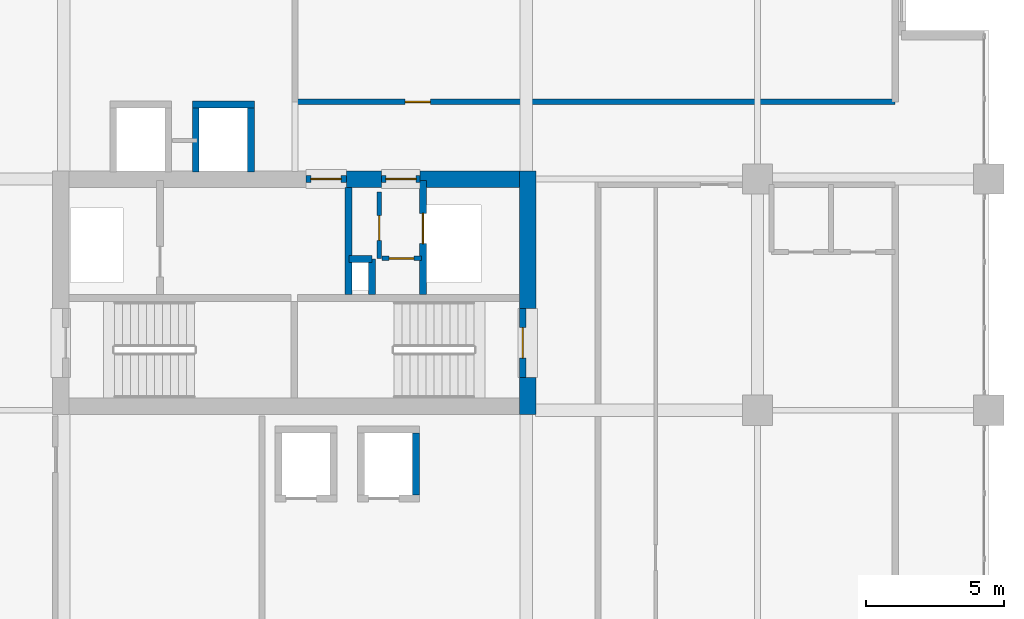
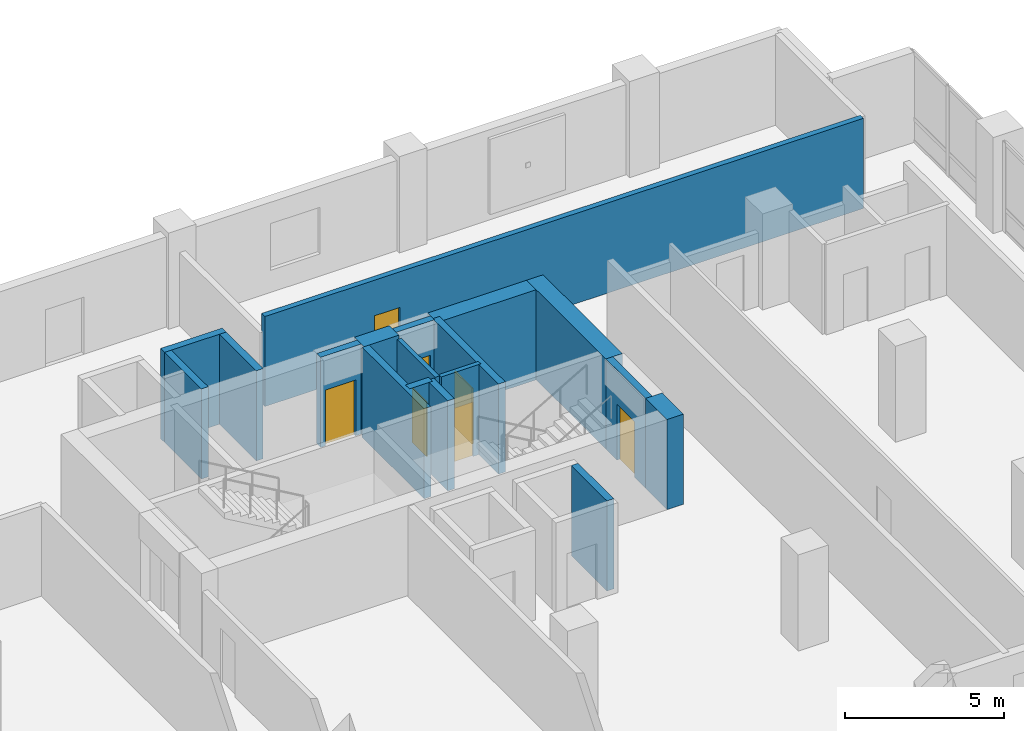
# One storey, part 10 of 20: 18 walls, 7 doors, 7 openings.
"""IFC4 building model written with IfcOpenShell, lengths in metres."""

from ifc_helpers import new_model, si_unit, direction, frame, frame_2d, origin, place, context, subcontext, project, spatial, rectangle, extrude, material, layer, layer_set, type_object, element, fill, save


model = new_model("IFC4")

# Units and contexts
model_context = context("Model", 3, precision=1e-05, world=origin(), true_north=direction((0.0, 1.0)))
body_context = subcontext(model_context, "Body", "Model", "MODEL_VIEW")
ifc_project = project(units=[si_unit("LENGTHUNIT", "METRE"), si_unit("AREAUNIT", "SQUARE_METRE"), si_unit("VOLUMEUNIT", "CUBIC_METRE"), si_unit("PLANEANGLEUNIT", "RADIAN"), si_unit("MASSUNIT", "GRAM", prefix="KILO")], contexts=[model_context])

# Site, building, storey
site_placement = place(None, origin())
site = spatial("IfcSite", under=ifc_project, at=site_placement, CompositionType="ELEMENT")
building_placement = place(site_placement, origin())
building = spatial("IfcBuilding", under=site, at=building_placement, Name="Koriwani Terraces Tower", CompositionType="ELEMENT")
storey_placement = place(building_placement, frame((0.0, 0.0, 212.39990234375)))
storey = spatial("IfcBuildingStorey", under=building, at=storey_placement, Name="L52", CompositionType="ELEMENT", Elevation=212.39990234375)

# Walls
ifc_material_1 = material(Name="Concrete C60/75", Category="concrete")
ifc_layer_1 = layer(ifc_material_1, 0.60009765625, Name="Concrete C60/75")
ifc_layer_set_1 = layer_set([ifc_layer_1], Name="Concrete C60/75")
wall_type_1 = type_object("IfcWallType", Name="WALL_CORE_RC_600", PredefinedType="SHEAR", material=ifc_layer_set_1)
wall_1_placement = place(storey_placement, frame((58.85009765625, 16.64990234375, 0.0), z_axis=(0.0, 0.0, 1.0), x_axis=(0.0, 1.0, 0.0)))
element("IfcWall", 1, at=wall_1_placement, inside=storey, type_object=wall_type_1, Name="L52 East Split Core Shear Wall E1", PredefinedType="SHEAR", context=body_context, shape_type="SweptSolid", body=[
    extrude(rectangle(XDim=1.35009765625, YDim=0.60009765625, at=frame_2d((0.675048828125, 0.0))), origin(), (0.0, 0.0, 1.0), 3.47021484375),
])
wall_2_placement = place(storey_placement, frame((58.85009765625, 20.5, 0.0), z_axis=(0.0, 0.0, 1.0), x_axis=(0.0, 1.0, 0.0)))
element("IfcWall", 2, at=wall_2_placement, inside=storey, type_object=wall_type_1, Name="L52 East Split Core Shear Wall E2", PredefinedType="SHEAR", context=body_context, shape_type="SweptSolid", body=[
    extrude(rectangle(XDim=5.0, YDim=0.60009765625, at=frame_2d((2.5, 0.0))), origin(), (0.0, 0.0, 1.0), 3.47021484375),
])
wall_3_placement = place(storey_placement, frame((52.280029296875, 25.199951171875, 0.0), z_axis=(0.0, 0.0, 1.0), x_axis=(1.0, 0.0, 0.0)))
element("IfcWall", 3, at=wall_3_placement, inside=storey, type_object=wall_type_1, Name="L52 East Split Core Shear Wall N2", PredefinedType="SHEAR", context=body_context, shape_type="SweptSolid", body=[
    extrude(rectangle(XDim=1.27001953125, YDim=0.60009765625, at=frame_2d((0.635009765625, 0.0))), origin(), (0.0, 0.0, 1.0), 3.47021484375),
])
wall_4_placement = place(storey_placement, frame((54.949951171875, 25.199951171875, 0.0), z_axis=(0.0, 0.0, 1.0), x_axis=(1.0, 0.0, 0.0)))
element("IfcWall", 4, at=wall_4_placement, inside=storey, type_object=wall_type_1, Name="L52 East Split Core Shear Wall N3", PredefinedType="SHEAR", context=body_context, shape_type="SweptSolid", body=[
    extrude(rectangle(XDim=3.60009765625, YDim=0.60009765625, at=frame_2d((1.800048828125, 0.0))), origin(), (0.0, 0.0, 1.0), 3.47021484375),
])

# Wall, opening, door
ifc_material_2 = material(Name="Autoclaved Cellular Concrete Blockwork", Category="masonry")
ifc_layer_2 = layer(ifc_material_2, 0.199951171875, Name="Autoclaved Cellular Concrete Blockwork")
ifc_layer_set_2 = layer_set([ifc_layer_2], Name="Autoclaved Cellular Concrete Blockwork")
wall_type_2 = type_object("IfcWallType", Name="WALL_CORRIDOR_200", PredefinedType="PARTITIONING", material=ifc_layer_set_2)
wall_5_placement = place(storey_placement, frame((50.39990234375, 28.0, 0.0), z_axis=(0.0, 0.0, 1.0), x_axis=(1.0, 0.0, 0.0)))
wall_5 = element("IfcWall", 5, at=wall_5_placement, inside=storey, type_object=wall_type_2, Name="L52 Interior Wall WSEC-S-L52", PredefinedType="PARTITIONING", context=body_context, shape_type="SweptSolid", body=[
    extrude(rectangle(XDim=21.800048828125, YDim=0.199951171875, at=frame_2d((10.89990234375, 0.0))), origin(), (0.0, 0.0, 1.0), 3.47021484375),
])
opening_1_placement = place(wall_5_placement, frame((4.0, 0.0, 0.0)))
opening_1 = element("IfcOpeningElement", 6, at=opening_1_placement, cuts=wall_5, Name="Opening D-06", PredefinedType="OPENING", context=body_context, shape_type="SweptSolid", body=[
    extrude(rectangle(XDim=0.919921875, YDim=2.10009765625, at=frame_2d((0.4599609375, 1.050048828125))), frame((0.0, 0.10986328125, 0.0), z_axis=(0.0, -1.0, 0.0), x_axis=(1.0, 0.0, 0.0)), (0.0, 0.0, 1.0), 0.219970703125),
])
ifc_material_3 = material(Name="Architectural Oak Fire Door", Category="wood")
door_type_1 = type_object("IfcDoorType", Name="DOOR_ROOM_INT_920X2100", OperationType="NOTDEFINED", PredefinedType="DOOR", material=ifc_material_3)
door_1_placement = place(opening_1_placement, origin())
door_1 = element("IfcDoor", 7, at=door_1_placement, inside=storey, type_object=door_type_1, Name="L52 East Court Study Door", OperationType="SINGLE_SWING_RIGHT", OverallHeight=2.10009765625, OverallWidth=0.919921875, PredefinedType="DOOR", context=body_context, shape_type="SweptSolid", body=[
    extrude(rectangle(XDim=0.919921875, YDim=2.10009765625, at=frame_2d((0.4599609375, 1.050048828125))), frame((0.0, 0.02490234375, 0.0), z_axis=(0.0, -1.0, 0.0), x_axis=(1.0, 0.0, 0.0)), (0.0, 0.0, 1.0), 0.050048828125),
])
fill(opening_1, door_1)

ifc_material_4 = material(Name="Concrete C40/50", Category="concrete")
ifc_layer_3 = layer(ifc_material_4, 0.25, Name="Concrete C40/50")
ifc_layer_set_3 = layer_set([ifc_layer_3], Name="Concrete C40/50")
wall_type_3 = type_object("IfcWallType", Name="WALL_SHAFT_RATED_250", PredefinedType="SOLIDWALL", material=ifc_layer_set_3)
wall_6_placement = place(storey_placement, frame((58.675048828125, 18.0, 0.0), z_axis=(0.0, 0.0, 1.0), x_axis=(0.0, 1.0, 0.0)))
wall_6 = element("IfcWall", 8, at=wall_6_placement, inside=storey, type_object=wall_type_3, Name="L52 Interior Wall WIN-CE-L52-STE", PredefinedType="SOLIDWALL", context=body_context, shape_type="SweptSolid", body=[
    extrude(rectangle(XDim=2.5, YDim=0.25, at=frame_2d((1.25, 0.0))), origin(), (0.0, 0.0, 1.0), 3.47021484375),
])
opening_2_placement = place(wall_6_placement, frame((0.699951171875, 0.0, 0.0)))
opening_2 = element("IfcOpeningElement", 9, at=opening_2_placement, cuts=wall_6, Name="Opening D-03", PredefinedType="OPENING", context=body_context, shape_type="SweptSolid", body=[
    extrude(rectangle(XDim=1.10009765625, YDim=2.14990234375, at=frame_2d((0.550048828125, 1.074951171875))), frame((0.0, 0.135009765625, 0.0), z_axis=(0.0, -1.0, 0.0), x_axis=(1.0, 0.0, 0.0)), (0.0, 0.0, 1.0), 0.27001953125),
])
ifc_material_5 = material(Name="Steel ASTM A572 Grade 50", Category="steel")
door_type_2 = type_object("IfcDoorType", Name="DOOR_STAIR_FIRE_1100X2150", OperationType="NOTDEFINED", PredefinedType="DOOR", material=ifc_material_5)
door_2_placement = place(opening_2_placement, origin())
door_2 = element("IfcDoor", 10, at=door_2_placement, inside=storey, type_object=door_type_2, Name="L52 Exit Stair ST-E2 Door", OperationType="SINGLE_SWING_LEFT", OverallHeight=2.14990234375, OverallWidth=1.10009765625, PredefinedType="DOOR", context=body_context, shape_type="SweptSolid", body=[
    extrude(rectangle(XDim=1.10009765625, YDim=2.14990234375, at=frame_2d((0.550048828125, 1.074951171875))), frame((0.0, 0.02490234375, 0.0), z_axis=(0.0, -1.0, 0.0), x_axis=(1.0, 0.0, 0.0)), (0.0, 0.0, 1.0), 0.050048828125),
])
fill(opening_2, door_2)

wall_7_placement = place(storey_placement, frame((50.800048828125, 25.199951171875, 0.0), z_axis=(0.0, 0.0, 1.0), x_axis=(1.0, 0.0, 0.0)))
wall_7 = element("IfcWall", 11, at=wall_7_placement, inside=storey, type_object=wall_type_3, Name="L52 Interior Wall WIN-CE-L52-NP", PredefinedType="SOLIDWALL", context=body_context, shape_type="SweptSolid", body=[
    extrude(rectangle(XDim=1.47998046875, YDim=0.25, at=frame_2d((0.739990234375, 0.0))), origin(), (0.0, 0.0, 1.0), 3.47021484375),
])
opening_3_placement = place(wall_7_placement, frame((0.179931640625, 0.0, 0.0)))
opening_3 = element("IfcOpeningElement", 12, at=opening_3_placement, cuts=wall_7, Name="Opening D-03", PredefinedType="OPENING", context=body_context, shape_type="SweptSolid", body=[
    extrude(rectangle(XDim=1.10009765625, YDim=2.14990234375, at=frame_2d((0.550048828125, 1.074951171875))), frame((0.0, 0.135009765625, 0.0), z_axis=(0.0, -1.0, 0.0), x_axis=(1.0, 0.0, 0.0)), (0.0, 0.0, 1.0), 0.27001953125),
])
door_3_placement = place(opening_3_placement, origin())
door_3 = element("IfcDoor", 13, at=door_3_placement, inside=storey, type_object=door_type_2, Name="L52 East Firefighting Lobby Door", OperationType="SINGLE_SWING_RIGHT", OverallHeight=2.14990234375, OverallWidth=1.10009765625, PredefinedType="DOOR", context=body_context, shape_type="SweptSolid", body=[
    extrude(rectangle(XDim=1.10009765625, YDim=2.14990234375, at=frame_2d((0.550048828125, 1.074951171875))), frame((0.0, 0.02490234375, 0.0), z_axis=(0.0, -1.0, 0.0), x_axis=(1.0, 0.0, 0.0)), (0.0, 0.0, 1.0), 0.050048828125),
])
fill(opening_3, door_3)

# Wall
wall_8_placement = place(storey_placement, frame((52.340087890625, 21.0, 0.0), z_axis=(0.0, 0.0, 1.0), x_axis=(0.0, 1.0, 0.0)))
element("IfcWall", 14, at=wall_8_placement, inside=storey, type_object=wall_type_3, Name="L52 Interior Wall WIN-CE-L52-FFE", PredefinedType="SOLIDWALL", context=body_context, shape_type="SweptSolid", body=[
    extrude(rectangle(XDim=3.89990234375, YDim=0.25, at=frame_2d((1.949951171875, 0.0))), origin(), (0.0, 0.0, 1.0), 3.47021484375),
])

# Wall, opening, door
wall_9_placement = place(storey_placement, frame((55.050048828125, 21.0, 0.0), z_axis=(0.0, 0.0, 1.0), x_axis=(0.0, 1.0, 0.0)))
wall_9 = element("IfcWall", 15, at=wall_9_placement, inside=storey, type_object=wall_type_3, Name="L52 Interior Wall WIN-CE-L52-SE", PredefinedType="SOLIDWALL", context=body_context, shape_type="SweptSolid", body=[
    extrude(rectangle(XDim=4.14990234375, YDim=0.25, at=frame_2d((2.074951171875, 0.0))), origin(), (0.0, 0.0, 1.0), 3.47021484375),
])
opening_4_placement = place(wall_9_placement, frame((1.85009765625, 0.0, 0.0)))
opening_4 = element("IfcOpeningElement", 16, at=opening_4_placement, cuts=wall_9, Name="Opening LD-01", PredefinedType="OPENING", context=body_context, shape_type="SweptSolid", body=[
    extrude(rectangle(XDim=1.10009765625, YDim=2.14990234375, at=frame_2d((0.550048828125, 1.074951171875))), frame((0.0, 0.135009765625, 0.0), z_axis=(0.0, -1.0, 0.0), x_axis=(1.0, 0.0, 0.0)), (0.0, 0.0, 1.0), 0.27001953125),
])
door_type_3 = type_object("IfcDoorType", Name="DOOR_LIFT_LANDING_1100X2200", OperationType="NOTDEFINED", PredefinedType="DOOR", material=ifc_material_5)
door_4_placement = place(opening_4_placement, origin())
door_4 = element("IfcDoor", 17, at=door_4_placement, inside=storey, type_object=door_type_3, Name="L52 Goods Lift SE-02 Landing Door", OperationType="SLIDING_TO_LEFT", OverallHeight=2.14990234375, OverallWidth=1.10009765625, PredefinedType="DOOR", context=body_context, shape_type="SweptSolid", body=[
    extrude(rectangle(XDim=1.10009765625, YDim=2.14990234375, at=frame_2d((0.550048828125, 1.074951171875))), frame((0.0, 0.02490234375, 0.0), z_axis=(0.0, -1.0, 0.0), x_axis=(1.0, 0.0, 0.0)), (0.0, 0.0, 1.0), 0.050048828125),
])
fill(opening_4, door_4)

wall_10_placement = place(storey_placement, frame((53.550048828125, 25.199951171875, 0.0), z_axis=(0.0, 0.0, 1.0), x_axis=(1.0, 0.0, 0.0)))
wall_10 = element("IfcWall", 18, at=wall_10_placement, inside=storey, type_object=wall_type_3, Name="L52 Interior Wall WIN-CE-L52-NP2", PredefinedType="SOLIDWALL", context=body_context, shape_type="SweptSolid", body=[
    extrude(rectangle(XDim=1.39990234375, YDim=0.25, at=frame_2d((0.699951171875, 0.0))), origin(), (0.0, 0.0, 1.0), 3.47021484375),
])
opening_5_placement = place(wall_10_placement, frame((0.14990234375, 0.0, 0.0)))
opening_5 = element("IfcOpeningElement", 19, at=opening_5_placement, cuts=wall_10, Name="Opening D-03", PredefinedType="OPENING", context=body_context, shape_type="SweptSolid", body=[
    extrude(rectangle(XDim=1.10009765625, YDim=2.14990234375, at=frame_2d((0.550048828125, 1.074951171875))), frame((0.0, 0.135009765625, 0.0), z_axis=(0.0, -1.0, 0.0), x_axis=(1.0, 0.0, 0.0)), (0.0, 0.0, 1.0), 0.27001953125),
])
door_5_placement = place(opening_5_placement, origin())
door_5 = element("IfcDoor", 20, at=door_5_placement, inside=storey, type_object=door_type_2, Name="L52 East Goods Lift Lobby Door", OperationType="SINGLE_SWING_LEFT", OverallHeight=2.14990234375, OverallWidth=1.10009765625, PredefinedType="DOOR", context=body_context, shape_type="SweptSolid", body=[
    extrude(rectangle(XDim=1.10009765625, YDim=2.14990234375, at=frame_2d((0.550048828125, 1.074951171875))), frame((0.0, 0.02490234375, 0.0), z_axis=(0.0, -1.0, 0.0), x_axis=(1.0, 0.0, 0.0)), (0.0, 0.0, 1.0), 0.050048828125),
])
fill(opening_5, door_5)

# Walls
wall_11_placement = place(storey_placement, frame((53.199951171875, 21.0, 0.0), z_axis=(0.0, 0.0, 1.0), x_axis=(0.0, 1.0, 0.0)))
element("IfcWall", 21, at=wall_11_placement, inside=storey, type_object=wall_type_3, Name="L52 Interior Wall WIN-CE-L52-RS1", PredefinedType="SOLIDWALL", context=body_context, shape_type="SweptSolid", body=[
    extrude(rectangle(XDim=1.300048828125, YDim=0.25, at=frame_2d((0.64990234375, 0.0))), origin(), (0.0, 0.0, 1.0), 3.47021484375),
])
wall_12_placement = place(storey_placement, frame((52.360107421875, 22.300048828125, 0.0), z_axis=(0.0, 0.0, 1.0), x_axis=(1.0, 0.0, 0.0)))
element("IfcWall", 22, at=wall_12_placement, inside=storey, type_object=wall_type_3, Name="L52 Interior Wall WIN-CE-L52-RS2", PredefinedType="SOLIDWALL", context=body_context, shape_type="SweptSolid", body=[
    extrude(rectangle(XDim=0.83984375, YDim=0.25, at=frame_2d((0.419921875, 0.0))), origin(), (0.0, 0.0, 1.0), 3.47021484375),
])
for number, where, z_axis, x_axis, name in (
    (23, (54.800048828125, 13.72509765625, 0.0), (0.0, 0.0, 1.0), (0.0, 1.0, 0.0), "L52 Interior Wall WIN-LF-PE-M4-L52-E"),
    (24, (46.675048828125, 27.89990234375, 0.0), (0.0, 0.0, 1.0), (1.0, 0.0, 0.0), "L52 Interior Wall WIN-LF-PE-H4-L52-F"),
):
    element("IfcWall", number, at=place(storey_placement, frame(where, z_axis=z_axis, x_axis=x_axis)), inside=storey, type_object=wall_type_3, Name=name, PredefinedType="SOLIDWALL", context=body_context, shape_type="SweptSolid", body=[
        extrude(rectangle(XDim=2.25, YDim=0.25, at=frame_2d((1.125, 0.0))), origin(), (0.0, 0.0, 1.0), 3.47021484375),
    ])
for number, where, z_axis, x_axis, name in (
    (25, (46.800048828125, 25.449951171875, 0.0), (0.0, 0.0, 1.0), (0.0, 1.0, 0.0), "L52 Interior Wall WIN-LF-PE-H4-L52-W"),
    (26, (48.800048828125, 25.449951171875, 0.0), (0.0, 0.0, 1.0), (0.0, 1.0, 0.0), "L52 Interior Wall WIN-LF-PE-H4-L52-E"),
):
    element("IfcWall", number, at=place(storey_placement, frame(where, z_axis=z_axis, x_axis=x_axis)), inside=storey, type_object=wall_type_3, Name=name, PredefinedType="SOLIDWALL", context=body_context, shape_type="SweptSolid", body=[
        extrude(rectangle(XDim=2.324951171875, YDim=0.25, at=frame_2d((1.16259765625, 0.0))), origin(), (0.0, 0.0, 1.0), 3.47021484375),
    ])

# Wall, opening, door
ifc_material_6 = material(Name="Fire-Rated Acoustic Gypsum Partition", Category="masonry")
ifc_layer_4 = layer(ifc_material_6, 0.159912109375, Name="Fire-Rated Acoustic Gypsum Partition")
ifc_layer_set_4 = layer_set([ifc_layer_4], Name="Fire-Rated Acoustic Gypsum Partition")
wall_type_4 = type_object("IfcWallType", Name="WALL_SUITE_160", PredefinedType="PARTITIONING", material=ifc_layer_set_4)
wall_13_placement = place(storey_placement, frame((53.56005859375, 22.320068359375, 0.0), z_axis=(0.0, 0.0, 1.0), x_axis=(1.0, 0.0, 0.0)))
wall_13 = element("IfcWall", 27, at=wall_13_placement, inside=storey, type_object=wall_type_4, Name="L52 Interior Wall WIN-CE-L52-SV1A", PredefinedType="PARTITIONING", context=body_context, shape_type="SweptSolid", body=[
    extrude(rectangle(XDim=1.43994140625, YDim=0.159912109375, at=frame_2d((0.719970703125, 0.0))), origin(), (0.0, 0.0, 1.0), 3.47021484375),
])
opening_6_placement = place(wall_13_placement, frame((0.260009765625, 0.0, 0.0)))
opening_6 = element("IfcOpeningElement", 28, at=opening_6_placement, cuts=wall_13, Name="Opening D-07", PredefinedType="OPENING", context=body_context, shape_type="SweptSolid", body=[
    extrude(rectangle(XDim=0.89990234375, YDim=2.10009765625, at=frame_2d((0.449951171875, 1.050048828125))), frame((0.0, 0.08984375, 0.0), z_axis=(0.0, -1.0, 0.0), x_axis=(1.0, 0.0, 0.0)), (0.0, 0.0, 1.0), 0.179931640625),
])
door_type_4 = type_object("IfcDoorType", Name="DOOR_BATH_INT_900X2100", OperationType="NOTDEFINED", PredefinedType="DOOR", material=ifc_material_3)
door_6_placement = place(opening_6_placement, origin())
door_6 = element("IfcDoor", 29, at=door_6_placement, inside=storey, type_object=door_type_4, Name="L52 East Telecom Room Door", OperationType="SINGLE_SWING_RIGHT", OverallHeight=2.10009765625, OverallWidth=0.89990234375, PredefinedType="DOOR", context=body_context, shape_type="SweptSolid", body=[
    extrude(rectangle(XDim=0.89990234375, YDim=2.10009765625, at=frame_2d((0.449951171875, 1.050048828125))), frame((0.0, 0.02490234375, 0.0), z_axis=(0.0, -1.0, 0.0), x_axis=(1.0, 0.0, 0.0)), (0.0, 0.0, 1.0), 0.050048828125),
])
fill(opening_6, door_6)

wall_14_placement = place(storey_placement, frame((53.4599609375, 22.320068359375, 0.0), z_axis=(0.0, 0.0, 1.0), x_axis=(0.0, 1.0, 0.0)))
wall_14 = element("IfcWall", 30, at=wall_14_placement, inside=storey, type_object=wall_type_4, Name="L52 Interior Wall WIN-CE-L52-SV1B", PredefinedType="PARTITIONING", context=body_context, shape_type="SweptSolid", body=[
    extrude(rectangle(XDim=2.39990234375, YDim=0.159912109375, at=frame_2d((1.199951171875, 0.0))), origin(), (0.0, 0.0, 1.0), 3.47021484375),
])
opening_7_placement = place(wall_14_placement, frame((0.64990234375, 0.0, 0.0)))
opening_7 = element("IfcOpeningElement", 31, at=opening_7_placement, cuts=wall_14, Name="Opening D-07", PredefinedType="OPENING", context=body_context, shape_type="SweptSolid", body=[
    extrude(rectangle(XDim=0.89990234375, YDim=2.10009765625, at=frame_2d((0.449951171875, 1.050048828125))), frame((0.0, 0.08984375, 0.0), z_axis=(0.0, -1.0, 0.0), x_axis=(1.0, 0.0, 0.0)), (0.0, 0.0, 1.0), 0.179931640625),
])
door_7_placement = place(opening_7_placement, origin())
door_7 = element("IfcDoor", 32, at=door_7_placement, inside=storey, type_object=door_type_4, Name="L52 East Cleaners Closet Door", OperationType="SINGLE_SWING_LEFT", OverallHeight=2.10009765625, OverallWidth=0.89990234375, PredefinedType="DOOR", context=body_context, shape_type="SweptSolid", body=[
    extrude(rectangle(XDim=0.89990234375, YDim=2.10009765625, at=frame_2d((0.449951171875, 1.050048828125))), frame((0.0, 0.02490234375, 0.0), z_axis=(0.0, -1.0, 0.0), x_axis=(1.0, 0.0, 0.0)), (0.0, 0.0, 1.0), 0.050048828125),
])
fill(opening_7, door_7)

save(model, "model.ifc")
